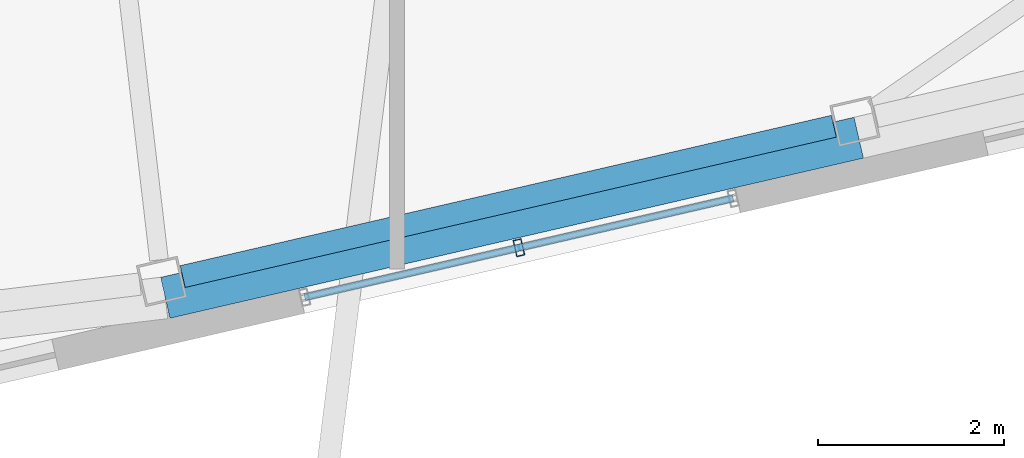
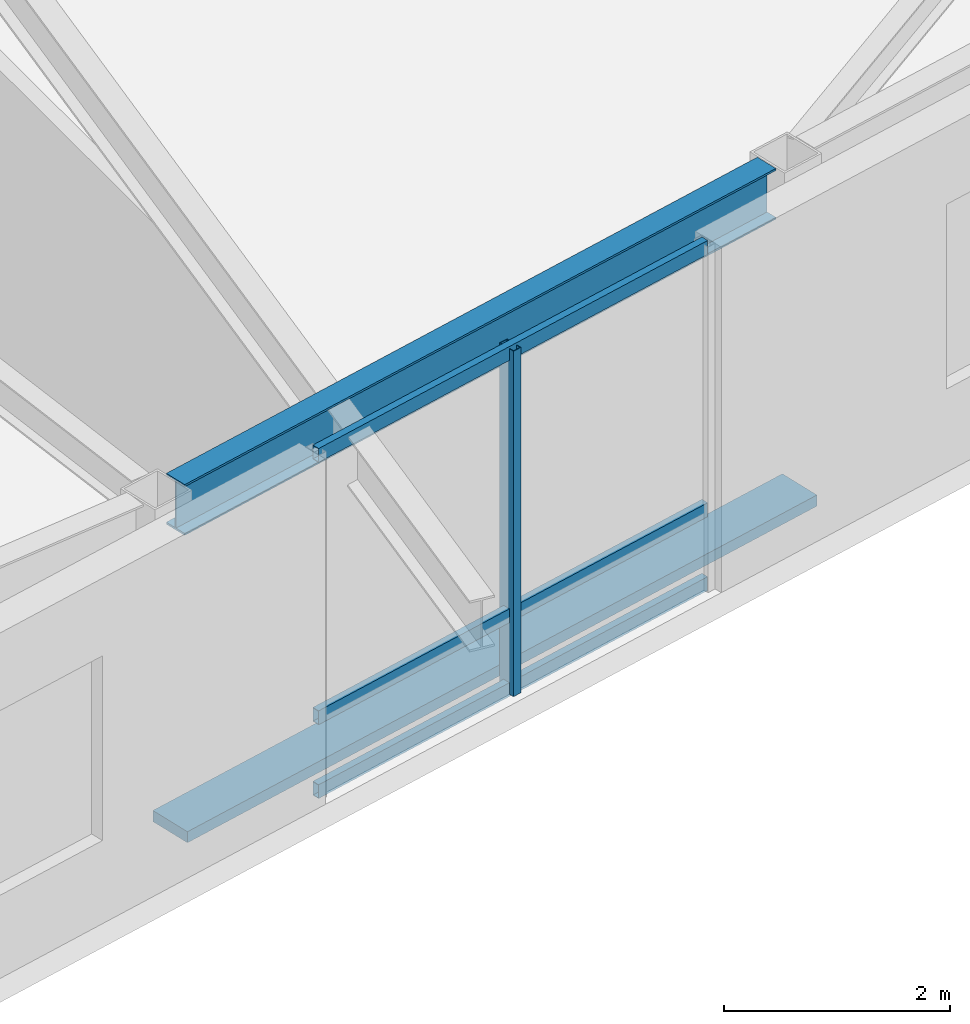
# One storey, part 8 of 24: 5 members, 1 beam, 1 element without a shape of its own.
"""IFC4 building model written with IfcOpenShell, lengths in metres."""

from ifc_helpers import new_model, si_unit, direction, frame, origin, origin_2d, place, context, subcontext, project, spatial, rectangle, hollow_rectangle, i_section, extrude, material, layer, layer_set, material_profile, profile_set, type_object, element, aggregate, save


model = new_model("IFC4")

# Units and contexts
model_context = context("Model", 3, precision=1e-05, world=origin(), true_north=direction((0.0, 1.0)))
body_context = subcontext(model_context, "Body", "Model", "MODEL_VIEW")
ifc_project = project(units=[si_unit("LENGTHUNIT", "METRE"), si_unit("AREAUNIT", "SQUARE_METRE"), si_unit("VOLUMEUNIT", "CUBIC_METRE"), si_unit("PLANEANGLEUNIT", "RADIAN"), si_unit("MASSUNIT", "GRAM", prefix="KILO")], contexts=[model_context])

# Site, building, storey
site_placement = place(None, origin())
site = spatial("IfcSite", under=ifc_project, at=site_placement, CompositionType="ELEMENT")
building_placement = place(site_placement, origin())
building = spatial("IfcBuilding", under=site, at=building_placement, Name="Tavrogorsk Clinical Tower", CompositionType="ELEMENT")
storey_placement = place(building_placement, frame((0.0, 0.0, 321.0)))
storey = spatial("IfcBuildingStorey", under=building, at=storey_placement, Name="L75", CompositionType="ELEMENT", Elevation=321.0)

# Member
ifc_material_1 = material(Name="Anodised aluminium alloy AW-6063", Category="aluminium")
ifc_material_profile_1 = material_profile(ifc_material_1, rectangle(XDim=0.449951171875, YDim=0.1201171875, at=origin_2d()), Name="ALU-SUNSHADE-450x120")
ifc_profile_set_1 = profile_set([ifc_material_profile_1], Name="Anodised aluminium alloy AW-6063")
member_type_1 = type_object("IfcMemberType", Name="ChicagoSunshade_450x120", PredefinedType="USERDEFINED", material=ifc_profile_set_1)
member_1_placement = place(storey_placement, frame((6.313232421875, -22.572509765625, 0.179931640625), z_axis=(0.97436370007, 0.224978621176, 0.0), x_axis=(-0.224978621176, 0.97436370007, 0.0)))
element("IfcMember", 1, at=member_1_placement, inside=storey, type_object=member_type_1, Name="L75 South Aluminium Sunshade S5", ObjectType="SUNSHADE", PredefinedType="USERDEFINED", context=body_context, shape_type="SweptSolid", body=[
    extrude(rectangle(XDim=0.449951171875, YDim=0.1201171875, at=origin_2d()), origin(), (0.0, 0.0, 1.0), 7.63427734375),
])

# Curtain wall, members
ifc_material_2 = material(Name="Anodised aluminium and triple IGU glazing", Category="aluminium")
ifc_layer = layer(ifc_material_2, 0.179931640625)
ifc_layer_set = layer_set([ifc_layer], Name="Anodised aluminium and triple IGU glazing")
curtain_wall_type = type_object("IfcCurtainWallType", Name="CW3_SouthSlot", PredefinedType="NOTDEFINED", material=ifc_layer_set)
curtain_wall_placement = place(storey_placement, origin())
curtain_wall = element("IfcCurtainWall", 2, at=curtain_wall_placement, inside=storey, type_object=curtain_wall_type, Name="L75 Curtain Wall CW-L75-S-SLOT-2", PredefinedType="NOTDEFINED")
ifc_material_3 = material(Name="Anodised aluminium alloy AW-6060", Category="aluminium")
ifc_material_profile_2 = material_profile(ifc_material_3, hollow_rectangle(XDim=0.090087890625, YDim=0.179931640625, WallThickness=0.00634765625, at=origin_2d()), Name="RHS-180x90x6.3")
ifc_profile_set_2 = profile_set([ifc_material_profile_2], Name="Anodised aluminium alloy AW-6060")
member_type_2 = type_object("IfcMemberType", Name="CwMullion_180x90", PredefinedType="MULLION", material=ifc_profile_set_2)
member_2_placement = place(storey_placement, frame((10.106689453125, -22.03515625, 0.0), z_axis=(0.0, 0.0, 1.0), x_axis=(0.974370057377, 0.224951086434, 0.0)))
member_2 = element("IfcMember", 3, at=member_2_placement, type_object=member_type_2, Name="CW-L75-S-SLOT-2 Mullion 2", PredefinedType="MULLION", context=body_context, shape_type="SweptSolid", body=[
    extrude(hollow_rectangle(XDim=0.090087890625, YDim=0.179931640625, WallThickness=0.00634765625, at=origin_2d()), origin(), (0.0, 0.0, 1.0), 3.739990234375),
])
ifc_material_4 = material(Name="Anodised aluminium alloy AW-6060", Category="aluminium")
ifc_material_profile_3 = material_profile(ifc_material_4, hollow_rectangle(XDim=0.074951171875, YDim=0.14990234375, WallThickness=0.0048828125, at=origin_2d()), Name="RHS-150x75x5")
ifc_profile_set_3 = profile_set([ifc_material_profile_3], Name="Anodised aluminium alloy AW-6060")
member_type_3 = type_object("IfcMemberType", Name="CwTransom_150x75", PredefinedType="USERDEFINED", material=ifc_profile_set_3)
member_3_placement = place(storey_placement, frame((7.80810546875, -22.56591796875, 0.050048828125), z_axis=(0.974372877948, 0.22493886885, 0.0), x_axis=(-0.22493886885, 0.974372877948, 0.0)))
member_3 = element("IfcMember", 4, at=member_3_placement, type_object=member_type_3, Name="CW-L75-S-SLOT-2 Transom 1", ObjectType="TRANSOM", PredefinedType="USERDEFINED", context=body_context, shape_type="SweptSolid", body=[
    extrude(hollow_rectangle(XDim=0.074951171875, YDim=0.14990234375, WallThickness=0.0048828125, at=origin_2d()), origin(), (0.0, 0.0, 1.0), 4.718017578125),
])
member_4_placement = place(storey_placement, frame((7.80810546875, -22.56591796875, 0.85009765625), z_axis=(0.974372877948, 0.22493886885, 0.0), x_axis=(-0.22493886885, 0.974372877948, 0.0)))
member_4 = element("IfcMember", 5, at=member_4_placement, type_object=member_type_3, Name="CW-L75-S-SLOT-2 Transom 2", ObjectType="TRANSOM", PredefinedType="USERDEFINED", context=body_context, shape_type="SweptSolid", body=[
    extrude(hollow_rectangle(XDim=0.074951171875, YDim=0.14990234375, WallThickness=0.0048828125, at=origin_2d()), origin(), (0.0, 0.0, 1.0), 4.718017578125),
])
member_5_placement = place(storey_placement, frame((7.80810546875, -22.56591796875, 3.68994140625), z_axis=(0.974372877948, 0.22493886885, 0.0), x_axis=(-0.22493886885, 0.974372877948, 0.0)))
member_5 = element("IfcMember", 6, at=member_5_placement, type_object=member_type_3, Name="CW-L75-S-SLOT-2 Transom 3", ObjectType="TRANSOM", PredefinedType="USERDEFINED", context=body_context, shape_type="SweptSolid", body=[
    extrude(hollow_rectangle(XDim=0.074951171875, YDim=0.14990234375, WallThickness=0.0048828125, at=origin_2d()), origin(), (0.0, 0.0, 1.0), 4.718017578125),
])
aggregate(curtain_wall, [member_2, member_3, member_4, member_5])

# Beam
ifc_material_5 = material(Name="Structural steel S390", Category="steel")
ifc_material_profile_4 = material_profile(ifc_material_5, i_section(OverallWidth=0.239990234375, OverallDepth=0.550048828125, WebThickness=0.013916015625, FlangeThickness=0.02197265625, at=origin_2d()), Name="B-550x240x14x22")
ifc_profile_set_4 = profile_set([ifc_material_profile_4], Name="Structural steel S390")
beam_type = type_object("IfcBeamType", Name="SpandrelBeam_B550", PredefinedType="SPANDREL", material=ifc_profile_set_4)
beam_placement = place(storey_placement, frame((6.499755859375, -22.344482421875, 3.465087890625), z_axis=(0.974369378592, 0.224954026551, 0.0), x_axis=(-0.224954026551, 0.974369378592, 0.0)))
element("IfcBeam", 7, at=beam_placement, inside=storey, type_object=beam_type, Name="L75 Perimeter Spandrel S5-S6", PredefinedType="SPANDREL", context=body_context, shape_type="SweptSolid", body=[
    extrude(i_section(OverallWidth=0.239990234375, OverallDepth=0.550048828125, WebThickness=0.013916015625, FlangeThickness=0.02197265625, at=origin_2d()), origin(), (0.0, 0.0, 1.0), 7.16845703125),
])

save(model, "model.ifc")
